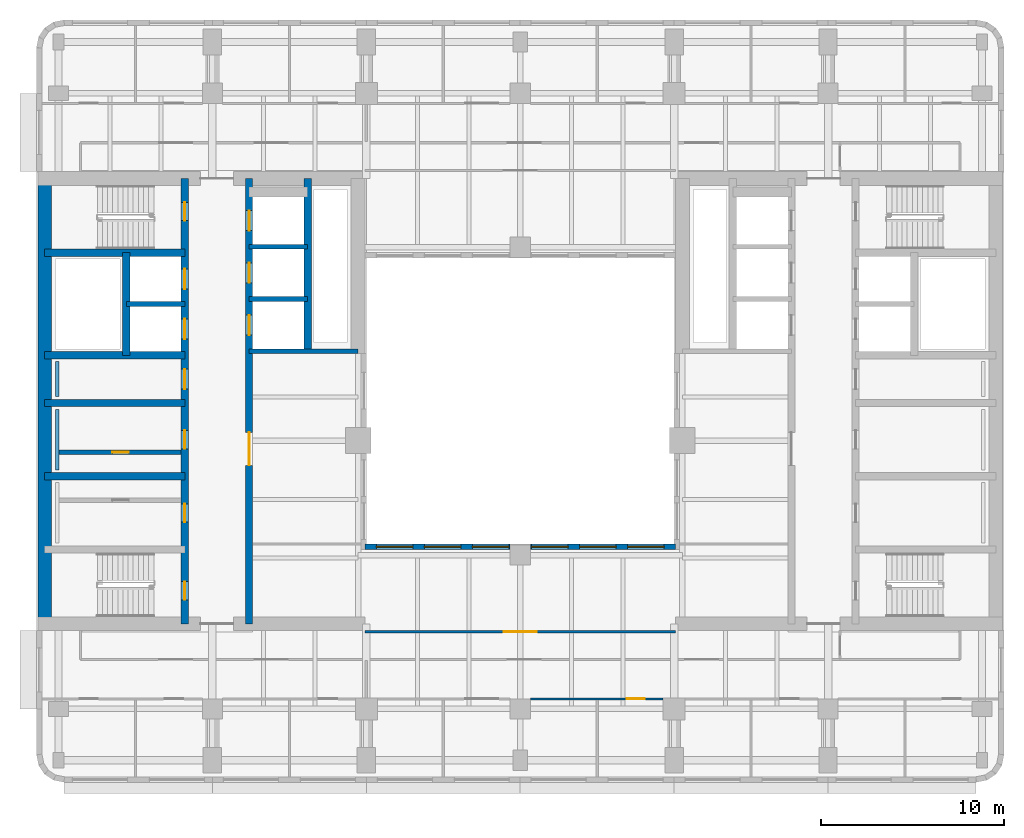
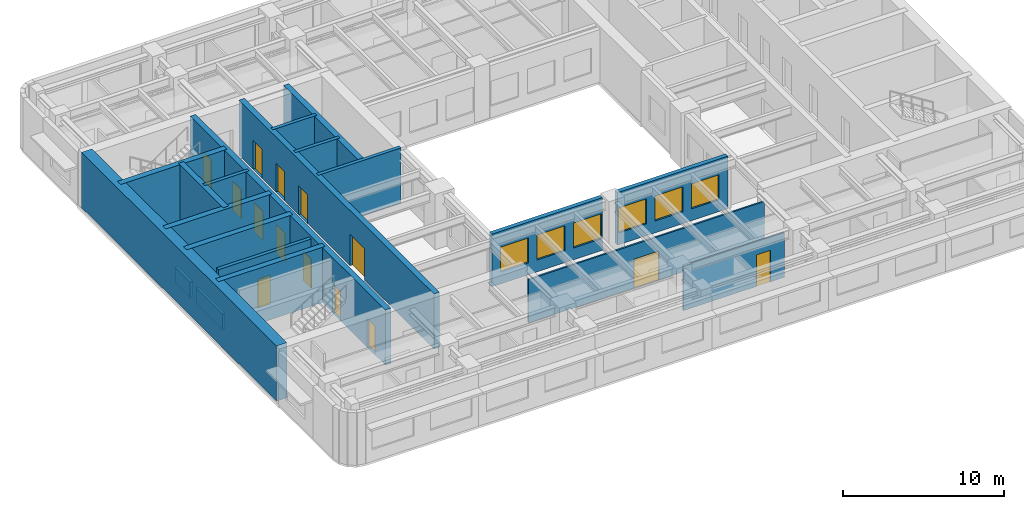
# One storey, part 4 of 11: 20 walls, 14 doors, 6 windows, 20 openings.
"""IFC4 building model written with IfcOpenShell, lengths in metres."""

from ifc_helpers import new_model, si_unit, direction, frame, frame_2d, origin, place, context, subcontext, project, spatial, rectangle, extrude, material, layer, layer_set, type_object, element, fill, save


model = new_model("IFC4")

# Units and contexts
model_context = context("Model", 3, precision=1e-05, world=origin(), true_north=direction((0.0, 1.0)))
body_context = subcontext(model_context, "Body", "Model", "MODEL_VIEW")
ifc_project = project(units=[si_unit("LENGTHUNIT", "METRE"), si_unit("AREAUNIT", "SQUARE_METRE"), si_unit("VOLUMEUNIT", "CUBIC_METRE"), si_unit("PLANEANGLEUNIT", "RADIAN"), si_unit("MASSUNIT", "GRAM", prefix="KILO")], contexts=[model_context])

# Site, building, storey
site_placement = place(None, origin())
site = spatial("IfcSite", under=ifc_project, at=site_placement, CompositionType="ELEMENT")
building_placement = place(site_placement, origin())
building = spatial("IfcBuilding", under=site, at=building_placement, Name="Claustro Exchange Tower", CompositionType="ELEMENT")
storey_placement = place(building_placement, frame((0.0, 0.0, 240.60009765625)))
storey = spatial("IfcBuildingStorey", under=building, at=storey_placement, Name="L55", CompositionType="ELEMENT", Elevation=240.60009765625)

# Wall, opening, door
ifc_material_1 = material(Name="Laminated glass in aluminium frame", Category="aluminium")
ifc_layer_1 = layer(ifc_material_1, 0.1201171875)
ifc_layer_set_1 = layer_set([ifc_layer_1], Name="Laminated glass in aluminium frame")
wall_type_1 = type_object("IfcWallType", Name="P2 120 glazed partition", PredefinedType="PARTITIONING", material=ifc_layer_set_1)
wall_1_placement = place(storey_placement, frame((25.7490234375, 8.949951171875, 0.0), z_axis=(0.0, 0.0, 1.0), x_axis=(1.0, 0.0, 0.0)))
wall_1 = element("IfcWall", 1, at=wall_1_placement, inside=storey, type_object=wall_type_1, Name="Partition P2 L55", PredefinedType="PARTITIONING", context=body_context, shape_type="SweptSolid", body=[
    extrude(rectangle(XDim=7.251953125, YDim=0.1201171875, at=frame_2d((3.6259765625, 0.0))), origin(), (0.0, 0.0, 1.0), 3.39990234375),
])
opening_1_placement = place(wall_1_placement, frame((5.2509765625, 0.0, 0.0)))
opening_1 = element("IfcOpeningElement", 2, at=opening_1_placement, cuts=wall_1, Name="Opening D7", PredefinedType="OPENING", context=body_context, shape_type="SweptSolid", body=[
    extrude(rectangle(XDim=1.0, YDim=2.39990234375, at=frame_2d((0.5, 1.199951171875))), frame((0.0, 0.070068359375, 0.0), z_axis=(0.0, -1.0, 0.0), x_axis=(1.0, 0.0, 0.0)), (0.0, 0.0, 1.0), 0.14013671875),
])
ifc_material_2 = material(Name="Glass door in aluminium frame", Category="aluminium")
door_type_1 = type_object("IfcDoorType", Name="D7 1000 x 2400 glazed door", OperationType="SINGLE_SWING_LEFT", PredefinedType="DOOR", material=ifc_material_2)
door_1_placement = place(opening_1_placement, frame((1.0, 0.0, 0.0), z_axis=(0.0, 0.0, 1.0), x_axis=(-1.0, 0.0, 0.0)))
door_1 = element("IfcDoor", 3, at=door_1_placement, inside=storey, type_object=door_type_1, Name="Door D7 L55", OperationType="SINGLE_SWING_RIGHT", OverallHeight=2.39990234375, OverallWidth=1.0, PredefinedType="DOOR", context=body_context, shape_type="SweptSolid", body=[
    extrude(rectangle(XDim=1.0, YDim=2.39990234375, at=frame_2d((0.5, 1.199951171875))), frame((0.0, 0.02490234375, 0.0), z_axis=(0.0, -1.0, 0.0), x_axis=(1.0, 0.0, 0.0)), (0.0, 0.0, 1.0), 0.050048828125),
])
fill(opening_1, door_1)

wall_2_placement = place(storey_placement, frame((16.72509765625, 12.614990234375, 0.0), z_axis=(0.0, 0.0, 1.0), x_axis=(1.0, 0.0, 0.0)))
wall_2 = element("IfcWall", 4, at=wall_2_placement, inside=storey, type_object=wall_type_1, Name="Partition P2 L55", PredefinedType="PARTITIONING", context=body_context, shape_type="SweptSolid", body=[
    extrude(rectangle(XDim=16.949951171875, YDim=0.1201171875, at=frame_2d((8.47509765625, 0.0))), origin(), (0.0, 0.0, 1.0), 3.2998046875),
])
opening_2_placement = place(wall_2_placement, frame((7.574951171875, 0.0, 0.0)))
opening_2 = element("IfcOpeningElement", 5, at=opening_2_placement, cuts=wall_2, Name="Opening D2", PredefinedType="OPENING", context=body_context, shape_type="SweptSolid", body=[
    extrude(rectangle(XDim=1.800048828125, YDim=2.199951171875, at=frame_2d((0.89990234375, 1.10009765625))), frame((0.0, 0.070068359375, 0.0), z_axis=(0.0, -1.0, 0.0), x_axis=(1.0, 0.0, 0.0)), (0.0, 0.0, 1.0), 0.14013671875),
])
ifc_material_3 = material(Name="Timber door, oak veneer", Category="wood")
door_type_2 = type_object("IfcDoorType", Name="D2 1800 x 2200 double door", OperationType="DOUBLE_DOOR_SINGLE_SWING", PredefinedType="DOOR", material=ifc_material_3)
door_2_placement = place(opening_2_placement, origin())
door_2 = element("IfcDoor", 6, at=door_2_placement, inside=storey, type_object=door_type_2, Name="Double door D2 L55", OperationType="DOUBLE_DOOR_SINGLE_SWING", OverallHeight=2.199951171875, OverallWidth=1.800048828125, PredefinedType="DOOR", context=body_context, shape_type="SweptSolid", body=[
    extrude(rectangle(XDim=1.800048828125, YDim=2.199951171875, at=frame_2d((0.89990234375, 1.10009765625))), frame((0.0, 0.02490234375, 0.0), z_axis=(0.0, -1.0, 0.0), x_axis=(1.0, 0.0, 0.0)), (0.0, 0.0, 1.0), 0.050048828125),
])
fill(opening_2, door_2)

ifc_material_4 = material(Name="Concrete blockwork, rendered", Category="masonry")
ifc_layer_2 = layer(ifc_material_4, 0.25)
ifc_layer_set_2 = layer_set([ifc_layer_2], Name="Concrete blockwork, rendered")
wall_type_2 = type_object("IfcWallType", Name="P4 250 blockwork wall", PredefinedType="PARTITIONING", material=ifc_layer_set_2)
wall_3_placement = place(storey_placement, frame((0.02490234375, 22.39990234375, 0.0), z_axis=(0.0, 0.0, 1.0), x_axis=(1.0, 0.0, 0.0)))
wall_3 = element("IfcWall", 7, at=wall_3_placement, inside=storey, type_object=wall_type_2, Name="Partition P4 L55", PredefinedType="PARTITIONING", context=body_context, shape_type="SweptSolid", body=[
    extrude(rectangle(XDim=6.675048828125, YDim=0.25, at=frame_2d((3.33740234375, 0.0))), origin(), (0.0, 0.0, 1.0), 4.0),
])
opening_3_placement = place(wall_3_placement, frame((2.91259765625, 0.0, 0.0)))
opening_3 = element("IfcOpeningElement", 8, at=opening_3_placement, cuts=wall_3, Name="Opening D5", PredefinedType="OPENING", context=body_context, shape_type="SweptSolid", body=[
    extrude(rectangle(XDim=0.89990234375, YDim=2.199951171875, at=frame_2d((0.449951171875, 1.10009765625))), frame((0.0, 0.135009765625, 0.0), z_axis=(0.0, -1.0, 0.0), x_axis=(1.0, 0.0, 0.0)), (0.0, 0.0, 1.0), 0.27001953125),
])
ifc_material_5 = material(Name="Steel door, painted", Category="steel")
door_type_3 = type_object("IfcDoorType", Name="D5 900 x 2200 store door", OperationType="SINGLE_SWING_LEFT", PredefinedType="DOOR", material=ifc_material_5)
door_3_placement = place(opening_3_placement, frame((0.89990234375, 0.0, 0.0), z_axis=(0.0, 0.0, 1.0), x_axis=(-1.0, 0.0, 0.0)))
door_3 = element("IfcDoor", 9, at=door_3_placement, inside=storey, type_object=door_type_3, Name="Store door D5 L55", OperationType="SINGLE_SWING_LEFT", OverallHeight=2.199951171875, OverallWidth=0.89990234375, PredefinedType="DOOR", context=body_context, shape_type="SweptSolid", body=[
    extrude(rectangle(XDim=0.89990234375, YDim=2.199951171875, at=frame_2d((0.449951171875, 1.10009765625))), frame((0.0, 0.02490234375, 0.0), z_axis=(0.0, -1.0, 0.0), x_axis=(1.0, 0.0, 0.0)), (0.0, 0.0, 1.0), 0.050048828125),
])
fill(opening_3, door_3)

# Wall, openings, windows
ifc_material_6 = material(Name="Concrete HA-40 (C40/50), precast, white cement, acid-etched", Category="concrete")
ifc_layer_3 = layer(ifc_material_6, 0.300048828125)
ifc_layer_set_3 = layer_set([ifc_layer_3], Name="Concrete HA-40 (C40/50), precast, white cement, acid-etched")
wall_type_3 = type_object("IfcWallType", Name="PC1 300 precast concrete pier panel", PredefinedType="SOLIDWALL", material=ifc_layer_set_3)
wall_4_placement = place(storey_placement, frame((16.72509765625, 17.25, 0.0), z_axis=(0.0, 0.0, 1.0), x_axis=(1.0, 0.0, 0.0)))
wall_4 = element("IfcWall", 10, at=wall_4_placement, inside=storey, type_object=wall_type_3, Name="Precast pier panel PC1 L55", PredefinedType="SOLIDWALL", context=body_context, shape_type="SweptSolid", body=[
    extrude(rectangle(XDim=7.9248046875, YDim=0.300048828125, at=frame_2d((3.96240234375, 0.0))), origin(), (0.0, 0.0, 1.0), 4.0),
])
opening_4_placement = place(wall_4_placement, frame((0.61865234375, 0.0, 0.89990234375)))
opening_4 = element("IfcOpeningElement", 11, at=opening_4_placement, cuts=wall_4, Name="Opening W4", PredefinedType="OPENING", context=body_context, shape_type="SweptSolid", body=[
    extrude(rectangle(XDim=2.0, YDim=1.89990234375, at=frame_2d((1.0, 0.949951171875))), frame((0.0, 0.159912109375, 0.0), z_axis=(0.0, -1.0, 0.0), x_axis=(1.0, 0.0, 0.0)), (0.0, 0.0, 1.0), 0.320068359375),
])
opening_5_placement = place(wall_4_placement, frame((3.237548828125, 0.0, 0.89990234375)))
opening_5 = element("IfcOpeningElement", 12, at=opening_5_placement, cuts=wall_4, Name="Opening W4", PredefinedType="OPENING", context=body_context, shape_type="SweptSolid", body=[
    extrude(rectangle(XDim=2.0, YDim=1.89990234375, at=frame_2d((1.0, 0.949951171875))), frame((0.0, 0.159912109375, 0.0), z_axis=(0.0, -1.0, 0.0), x_axis=(1.0, 0.0, 0.0)), (0.0, 0.0, 1.0), 0.320068359375),
])
opening_6_placement = place(wall_4_placement, frame((5.856201171875, 0.0, 0.89990234375)))
opening_6 = element("IfcOpeningElement", 13, at=opening_6_placement, cuts=wall_4, Name="Opening W4", PredefinedType="OPENING", context=body_context, shape_type="SweptSolid", body=[
    extrude(rectangle(XDim=2.0, YDim=1.89990234375, at=frame_2d((1.0, 0.949951171875))), frame((0.0, 0.159912109375, 0.0), z_axis=(0.0, -1.0, 0.0), x_axis=(1.0, 0.0, 0.0)), (0.0, 0.0, 1.0), 0.320068359375),
])
ifc_material_7 = material(Name="Aluminium frame, clear double glazing", Category="aluminium")
window_type = type_object("IfcWindowType", Name="W4 2000 x 1900 light well window", PartitioningType="SINGLE_PANEL", PredefinedType="WINDOW", material=ifc_material_7)
window_1_placement = place(opening_4_placement, origin())
window_1 = element("IfcWindow", 14, at=window_1_placement, inside=storey, type_object=window_type, Name="Window W4 L55", OverallHeight=1.89990234375, OverallWidth=2.0, PartitioningType="SINGLE_PANEL", PredefinedType="WINDOW", context=body_context, shape_type="SweptSolid", body=[
    extrude(rectangle(XDim=2.0, YDim=1.89990234375, at=frame_2d((1.0, 0.949951171875))), frame((0.0, 0.030029296875, 0.0), z_axis=(0.0, -1.0, 0.0), x_axis=(1.0, 0.0, 0.0)), (0.0, 0.0, 1.0), 0.06005859375),
])
fill(opening_4, window_1)
window_2_placement = place(opening_5_placement, origin())
window_2 = element("IfcWindow", 15, at=window_2_placement, inside=storey, type_object=window_type, Name="Window W4 L55", OverallHeight=1.89990234375, OverallWidth=2.0, PartitioningType="SINGLE_PANEL", PredefinedType="WINDOW", context=body_context, shape_type="SweptSolid", body=[
    extrude(rectangle(XDim=2.0, YDim=1.89990234375, at=frame_2d((1.0, 0.949951171875))), frame((0.0, 0.030029296875, 0.0), z_axis=(0.0, -1.0, 0.0), x_axis=(1.0, 0.0, 0.0)), (0.0, 0.0, 1.0), 0.06005859375),
])
fill(opening_5, window_2)
window_3_placement = place(opening_6_placement, origin())
window_3 = element("IfcWindow", 16, at=window_3_placement, inside=storey, type_object=window_type, Name="Window W4 L55", OverallHeight=1.89990234375, OverallWidth=2.0, PartitioningType="SINGLE_PANEL", PredefinedType="WINDOW", context=body_context, shape_type="SweptSolid", body=[
    extrude(rectangle(XDim=2.0, YDim=1.89990234375, at=frame_2d((1.0, 0.949951171875))), frame((0.0, 0.030029296875, 0.0), z_axis=(0.0, -1.0, 0.0), x_axis=(1.0, 0.0, 0.0)), (0.0, 0.0, 1.0), 0.06005859375),
])
fill(opening_6, window_3)

wall_5_placement = place(storey_placement, frame((25.75, 17.25, 0.0), z_axis=(0.0, 0.0, 1.0), x_axis=(1.0, 0.0, 0.0)))
wall_5 = element("IfcWall", 17, at=wall_5_placement, inside=storey, type_object=wall_type_3, Name="Precast pier panel PC1 L55", PredefinedType="SOLIDWALL", context=body_context, shape_type="SweptSolid", body=[
    extrude(rectangle(XDim=7.925048828125, YDim=0.300048828125, at=frame_2d((3.96240234375, 0.0))), origin(), (0.0, 0.0, 1.0), 4.0),
])
opening_7_placement = place(wall_5_placement, frame((0.068603515625, 0.0, 0.89990234375)))
opening_7 = element("IfcOpeningElement", 18, at=opening_7_placement, cuts=wall_5, Name="Opening W4", PredefinedType="OPENING", context=body_context, shape_type="SweptSolid", body=[
    extrude(rectangle(XDim=2.0, YDim=1.89990234375, at=frame_2d((1.0, 0.949951171875))), frame((0.0, 0.159912109375, 0.0), z_axis=(0.0, -1.0, 0.0), x_axis=(1.0, 0.0, 0.0)), (0.0, 0.0, 1.0), 0.320068359375),
])
opening_8_placement = place(wall_5_placement, frame((2.6875, 0.0, 0.89990234375)))
opening_8 = element("IfcOpeningElement", 19, at=opening_8_placement, cuts=wall_5, Name="Opening W4", PredefinedType="OPENING", context=body_context, shape_type="SweptSolid", body=[
    extrude(rectangle(XDim=2.0, YDim=1.89990234375, at=frame_2d((1.0, 0.949951171875))), frame((0.0, 0.159912109375, 0.0), z_axis=(0.0, -1.0, 0.0), x_axis=(1.0, 0.0, 0.0)), (0.0, 0.0, 1.0), 0.320068359375),
])
opening_9_placement = place(wall_5_placement, frame((5.30615234375, 0.0, 0.89990234375)))
opening_9 = element("IfcOpeningElement", 20, at=opening_9_placement, cuts=wall_5, Name="Opening W4", PredefinedType="OPENING", context=body_context, shape_type="SweptSolid", body=[
    extrude(rectangle(XDim=2.0, YDim=1.89990234375, at=frame_2d((1.0, 0.949951171875))), frame((0.0, 0.159912109375, 0.0), z_axis=(0.0, -1.0, 0.0), x_axis=(1.0, 0.0, 0.0)), (0.0, 0.0, 1.0), 0.320068359375),
])
window_4_placement = place(opening_7_placement, origin())
window_4 = element("IfcWindow", 21, at=window_4_placement, inside=storey, type_object=window_type, Name="Window W4 L55", OverallHeight=1.89990234375, OverallWidth=2.0, PartitioningType="SINGLE_PANEL", PredefinedType="WINDOW", context=body_context, shape_type="SweptSolid", body=[
    extrude(rectangle(XDim=2.0, YDim=1.89990234375, at=frame_2d((1.0, 0.949951171875))), frame((0.0, 0.030029296875, 0.0), z_axis=(0.0, -1.0, 0.0), x_axis=(1.0, 0.0, 0.0)), (0.0, 0.0, 1.0), 0.06005859375),
])
fill(opening_7, window_4)
window_5_placement = place(opening_8_placement, origin())
window_5 = element("IfcWindow", 22, at=window_5_placement, inside=storey, type_object=window_type, Name="Window W4 L55", OverallHeight=1.89990234375, OverallWidth=2.0, PartitioningType="SINGLE_PANEL", PredefinedType="WINDOW", context=body_context, shape_type="SweptSolid", body=[
    extrude(rectangle(XDim=2.0, YDim=1.89990234375, at=frame_2d((1.0, 0.949951171875))), frame((0.0, 0.030029296875, 0.0), z_axis=(0.0, -1.0, 0.0), x_axis=(1.0, 0.0, 0.0)), (0.0, 0.0, 1.0), 0.06005859375),
])
fill(opening_8, window_5)
window_6_placement = place(opening_9_placement, origin())
window_6 = element("IfcWindow", 23, at=window_6_placement, inside=storey, type_object=window_type, Name="Window W4 L55", OverallHeight=1.89990234375, OverallWidth=2.0, PartitioningType="SINGLE_PANEL", PredefinedType="WINDOW", context=body_context, shape_type="SweptSolid", body=[
    extrude(rectangle(XDim=2.0, YDim=1.89990234375, at=frame_2d((1.0, 0.949951171875))), frame((0.0, 0.030029296875, 0.0), z_axis=(0.0, -1.0, 0.0), x_axis=(1.0, 0.0, 0.0)), (0.0, 0.0, 1.0), 0.06005859375),
])
fill(opening_9, window_6)

# Walls
ifc_material_8 = material(Name="Gypsum board on steel studs, tiled", Category="steel")
ifc_layer_4 = layer(ifc_material_8, 0.199951171875)
ifc_layer_set_4 = layer_set([ifc_layer_4], Name="Gypsum board on steel studs, tiled")
wall_type_4 = type_object("IfcWallType", Name="PW1 200 WC duct wall", PredefinedType="PLUMBINGWALL", material=ifc_layer_set_4)
wall_6_placement = place(storey_placement, frame((-0.074951171875, 21.449951171875, 0.0), z_axis=(0.0, 0.0, 1.0), x_axis=(0.0, 1.0, 0.0)))
element("IfcWall", 24, at=wall_6_placement, inside=storey, type_object=wall_type_4, Name="WC duct wall PW1 L55", PredefinedType="PLUMBINGWALL", context=body_context, shape_type="SweptSolid", body=[
    extrude(rectangle(XDim=3.300048828125, YDim=0.199951171875, at=frame_2d((1.64990234375, 0.0))), origin(), (0.0, 0.0, 1.0), 1.199951171875),
])
wall_7_placement = place(storey_placement, frame((-0.074951171875, 25.449951171875, 0.0), z_axis=(0.0, 0.0, 1.0), x_axis=(0.0, 1.0, 0.0)))
element("IfcWall", 25, at=wall_7_placement, inside=storey, type_object=wall_type_4, Name="WC duct wall PW1 L55", PredefinedType="PLUMBINGWALL", context=body_context, shape_type="SweptSolid", body=[
    extrude(rectangle(XDim=1.900146484375, YDim=0.199951171875, at=frame_2d((0.9501953125, 0.0))), origin(), (0.0, 0.0, 1.0), 1.199951171875),
])
ifc_material_9 = material(Name="Concrete HA-70 (C70/85)", Category="concrete")
ifc_layer_5 = layer(ifc_material_9, 0.75)
ifc_layer_set_5 = layer_set([ifc_layer_5], Name="Concrete HA-70 (C70/85)")
wall_type_5 = type_object("IfcWallType", Name="SW2X 750 exposed core shear wall, board-marked face", PredefinedType="SHEAR", material=ifc_layer_set_5)
wall_8_placement = place(storey_placement, frame((-0.75, 13.050048828125, 0.0), z_axis=(0.0, 0.0, 1.0), x_axis=(0.0, 1.0, 0.0)))
element("IfcWall", 26, at=wall_8_placement, inside=storey, type_object=wall_type_5, Name="Core wall SW2X W core W face L55", PredefinedType="SHEAR", context=body_context, shape_type="SweptSolid", body=[
    extrude(rectangle(XDim=24.300048828125, YDim=0.75, at=frame_2d((12.14990234375, 0.0))), origin(), (0.0, 0.0, 1.0), 4.199951171875),
])

# Wall, openings, doors
ifc_material_10 = material(Name="Concrete HA-50 (C50/60)", Category="concrete")
ifc_layer_6 = layer(ifc_material_10, 0.39990234375)
ifc_layer_set_6 = layer_set([ifc_layer_6], Name="Concrete HA-50 (C50/60)")
wall_type_6 = type_object("IfcWallType", Name="SW4 400 internal core wall", PredefinedType="SHEAR", material=ifc_layer_set_6)
wall_9_placement = place(storey_placement, frame((6.89990234375, 13.050048828125, 0.0), z_axis=(0.0, 0.0, 1.0), x_axis=(0.0, 1.0, 0.0)))
wall_9 = element("IfcWall", 27, at=wall_9_placement, inside=storey, type_object=wall_type_6, Name="Internal core wall SW4 W core L55", PredefinedType="SHEAR", context=body_context, shape_type="SweptSolid", body=[
    extrude(rectangle(XDim=24.300048828125, YDim=0.39990234375, at=frame_2d((12.14990234375, 0.0))), origin(), (0.0, 0.0, 1.0), 4.199951171875),
])
opening_10_placement = place(wall_9_placement, frame((1.300048828125, 0.0, 0.0)))
opening_10 = element("IfcOpeningElement", 28, at=opening_10_placement, cuts=wall_9, Name="Opening D4", PredefinedType="OPENING", context=body_context, shape_type="SweptSolid", body=[
    extrude(rectangle(XDim=1.0, YDim=2.199951171875, at=frame_2d((0.5, 1.10009765625))), frame((0.0, 0.2099609375, 0.0), z_axis=(0.0, -1.0, 0.0), x_axis=(1.0, 0.0, 0.0)), (0.0, 0.0, 1.0), 0.419921875),
])
opening_11_placement = place(wall_9_placement, frame((22.0, 0.0, 0.0)))
opening_11 = element("IfcOpeningElement", 29, at=opening_11_placement, cuts=wall_9, Name="Opening D4", PredefinedType="OPENING", context=body_context, shape_type="SweptSolid", body=[
    extrude(rectangle(XDim=1.0, YDim=2.199951171875, at=frame_2d((0.5, 1.10009765625))), frame((0.0, 0.2099609375, 0.0), z_axis=(0.0, -1.0, 0.0), x_axis=(1.0, 0.0, 0.0)), (0.0, 0.0, 1.0), 0.419921875),
])
opening_12_placement = place(wall_9_placement, frame((5.550048828125, 0.0, 0.0)))
opening_12 = element("IfcOpeningElement", 30, at=opening_12_placement, cuts=wall_9, Name="Opening D1", PredefinedType="OPENING", context=body_context, shape_type="SweptSolid", body=[
    extrude(rectangle(XDim=1.0, YDim=2.199951171875, at=frame_2d((0.5, 1.10009765625))), frame((0.0, 0.2099609375, 0.0), z_axis=(0.0, -1.0, 0.0), x_axis=(1.0, 0.0, 0.0)), (0.0, 0.0, 1.0), 0.419921875),
])
opening_13_placement = place(wall_9_placement, frame((9.550048828125, 0.0, 0.0)))
opening_13 = element("IfcOpeningElement", 31, at=opening_13_placement, cuts=wall_9, Name="Opening D1", PredefinedType="OPENING", context=body_context, shape_type="SweptSolid", body=[
    extrude(rectangle(XDim=1.0, YDim=2.199951171875, at=frame_2d((0.5, 1.10009765625))), frame((0.0, 0.2099609375, 0.0), z_axis=(0.0, -1.0, 0.0), x_axis=(1.0, 0.0, 0.0)), (0.0, 0.0, 1.0), 0.419921875),
])
opening_14_placement = place(wall_9_placement, frame((12.800048828125, 0.0, 0.0)))
opening_14 = element("IfcOpeningElement", 32, at=opening_14_placement, cuts=wall_9, Name="Opening D10", PredefinedType="OPENING", context=body_context, shape_type="SweptSolid", body=[
    extrude(rectangle(XDim=1.10009765625, YDim=2.199951171875, at=frame_2d((0.550048828125, 1.10009765625))), frame((0.0, 0.2099609375, 0.0), z_axis=(0.0, -1.0, 0.0), x_axis=(1.0, 0.0, 0.0)), (0.0, 0.0, 1.0), 0.419921875),
])
opening_15_placement = place(wall_9_placement, frame((15.53759765625, 0.0, 0.0)))
opening_15 = element("IfcOpeningElement", 33, at=opening_15_placement, cuts=wall_9, Name="Opening LD", PredefinedType="OPENING", context=body_context, shape_type="SweptSolid", body=[
    extrude(rectangle(XDim=1.10009765625, YDim=2.199951171875, at=frame_2d((0.550048828125, 1.10009765625))), frame((0.0, 0.2099609375, 0.0), z_axis=(0.0, -1.0, 0.0), x_axis=(1.0, 0.0, 0.0)), (0.0, 0.0, 1.0), 0.419921875),
])
opening_16_placement = place(wall_9_placement, frame((18.262451171875, 0.0, 0.0)))
opening_16 = element("IfcOpeningElement", 34, at=opening_16_placement, cuts=wall_9, Name="Opening LD", PredefinedType="OPENING", context=body_context, shape_type="SweptSolid", body=[
    extrude(rectangle(XDim=1.10009765625, YDim=2.199951171875, at=frame_2d((0.550048828125, 1.10009765625))), frame((0.0, 0.2099609375, 0.0), z_axis=(0.0, -1.0, 0.0), x_axis=(1.0, 0.0, 0.0)), (0.0, 0.0, 1.0), 0.419921875),
])
ifc_material_11 = material(Name="Timber door, oak veneer", Category="wood")
door_type_4 = type_object("IfcDoorType", Name="D1 1000 x 2200 single door", OperationType="SINGLE_SWING_LEFT", PredefinedType="DOOR", material=ifc_material_11)
door_4_placement = place(opening_12_placement, origin())
door_4 = element("IfcDoor", 35, at=door_4_placement, inside=storey, type_object=door_type_4, Name="Door D1 L55", OperationType="SINGLE_SWING_RIGHT", OverallHeight=2.199951171875, OverallWidth=1.0, PredefinedType="DOOR", context=body_context, shape_type="SweptSolid", body=[
    extrude(rectangle(XDim=1.0, YDim=2.199951171875, at=frame_2d((0.5, 1.10009765625))), frame((0.0, 0.02490234375, 0.0), z_axis=(0.0, -1.0, 0.0), x_axis=(1.0, 0.0, 0.0)), (0.0, 0.0, 1.0), 0.050048828125),
])
fill(opening_12, door_4)
door_5_placement = place(opening_13_placement, origin())
door_5 = element("IfcDoor", 36, at=door_5_placement, inside=storey, type_object=door_type_4, Name="Door D1 L55", OperationType="SINGLE_SWING_LEFT", OverallHeight=2.199951171875, OverallWidth=1.0, PredefinedType="DOOR", context=body_context, shape_type="SweptSolid", body=[
    extrude(rectangle(XDim=1.0, YDim=2.199951171875, at=frame_2d((0.5, 1.10009765625))), frame((0.0, 0.02490234375, 0.0), z_axis=(0.0, -1.0, 0.0), x_axis=(1.0, 0.0, 0.0)), (0.0, 0.0, 1.0), 0.050048828125),
])
fill(opening_13, door_5)
ifc_material_12 = material(Name="Timber door, oak veneer", Category="wood")
door_type_5 = type_object("IfcDoorType", Name="D10 1100 x 2200 accessible WC door", OperationType="SINGLE_SWING_LEFT", PredefinedType="DOOR", material=ifc_material_12)
door_6_placement = place(opening_14_placement, frame((1.10009765625, 0.0, 0.0), z_axis=(0.0, 0.0, 1.0), x_axis=(-1.0, 0.0, 0.0)))
door_6 = element("IfcDoor", 37, at=door_6_placement, inside=storey, type_object=door_type_5, Name="Accessible WC door D10 L55", OperationType="SINGLE_SWING_LEFT", OverallHeight=2.199951171875, OverallWidth=1.10009765625, PredefinedType="DOOR", context=body_context, shape_type="SweptSolid", body=[
    extrude(rectangle(XDim=1.10009765625, YDim=2.199951171875, at=frame_2d((0.550048828125, 1.10009765625))), frame((0.0, 0.02490234375, 0.0), z_axis=(0.0, -1.0, 0.0), x_axis=(1.0, 0.0, 0.0)), (0.0, 0.0, 1.0), 0.050048828125),
])
fill(opening_14, door_6)
ifc_material_13 = material(Name="Steel fire door, painted", Category="steel")
door_type_6 = type_object("IfcDoorType", Name="D4 1000 x 2200 fire-rated stair door", OperationType="SINGLE_SWING_LEFT", PredefinedType="DOOR", material=ifc_material_13)
door_7_placement = place(opening_10_placement, origin())
door_7 = element("IfcDoor", 38, at=door_7_placement, inside=storey, type_object=door_type_6, Name="Stair door D4 L55", OperationType="SINGLE_SWING_LEFT", OverallHeight=2.199951171875, OverallWidth=1.0, PredefinedType="DOOR", context=body_context, shape_type="SweptSolid", body=[
    extrude(rectangle(XDim=1.0, YDim=2.199951171875, at=frame_2d((0.5, 1.10009765625))), frame((0.0, 0.02490234375, 0.0), z_axis=(0.0, -1.0, 0.0), x_axis=(1.0, 0.0, 0.0)), (0.0, 0.0, 1.0), 0.050048828125),
])
fill(opening_10, door_7)
door_8_placement = place(opening_11_placement, origin())
door_8 = element("IfcDoor", 39, at=door_8_placement, inside=storey, type_object=door_type_6, Name="Stair door D4 L55", OperationType="SINGLE_SWING_RIGHT", OverallHeight=2.199951171875, OverallWidth=1.0, PredefinedType="DOOR", context=body_context, shape_type="SweptSolid", body=[
    extrude(rectangle(XDim=1.0, YDim=2.199951171875, at=frame_2d((0.5, 1.10009765625))), frame((0.0, 0.02490234375, 0.0), z_axis=(0.0, -1.0, 0.0), x_axis=(1.0, 0.0, 0.0)), (0.0, 0.0, 1.0), 0.050048828125),
])
fill(opening_11, door_8)
ifc_material_14 = material(Name="Stainless steel sliding door", Category="steel")
door_type_7 = type_object("IfcDoorType", Name="LD 1100 x 2200 lift landing door", OperationType="DOUBLE_DOOR_SLIDING", PredefinedType="DOOR", material=ifc_material_14)
door_9_placement = place(opening_15_placement, origin())
door_9 = element("IfcDoor", 40, at=door_9_placement, inside=storey, type_object=door_type_7, Name="Lift landing door LEW1 LD L55", OperationType="DOUBLE_DOOR_SLIDING", OverallHeight=2.199951171875, OverallWidth=1.10009765625, PredefinedType="DOOR", context=body_context, shape_type="SweptSolid", body=[
    extrude(rectangle(XDim=1.10009765625, YDim=2.199951171875, at=frame_2d((0.550048828125, 1.10009765625))), frame((0.0, 0.02490234375, 0.0), z_axis=(0.0, -1.0, 0.0), x_axis=(1.0, 0.0, 0.0)), (0.0, 0.0, 1.0), 0.050048828125),
])
fill(opening_15, door_9)
door_10_placement = place(opening_16_placement, origin())
door_10 = element("IfcDoor", 41, at=door_10_placement, inside=storey, type_object=door_type_7, Name="Lift landing door LEW2 LD L55", OperationType="DOUBLE_DOOR_SLIDING", OverallHeight=2.199951171875, OverallWidth=1.10009765625, PredefinedType="DOOR", context=body_context, shape_type="SweptSolid", body=[
    extrude(rectangle(XDim=1.10009765625, YDim=2.199951171875, at=frame_2d((0.550048828125, 1.10009765625))), frame((0.0, 0.02490234375, 0.0), z_axis=(0.0, -1.0, 0.0), x_axis=(1.0, 0.0, 0.0)), (0.0, 0.0, 1.0), 0.050048828125),
])
fill(opening_16, door_10)

wall_10_placement = place(storey_placement, frame((10.39990234375, 13.050048828125, 0.0), z_axis=(0.0, 0.0, 1.0), x_axis=(0.0, 1.0, 0.0)))
wall_10 = element("IfcWall", 42, at=wall_10_placement, inside=storey, type_object=wall_type_6, Name="Internal core wall SW4 W core L55", PredefinedType="SHEAR", context=body_context, shape_type="SweptSolid", body=[
    extrude(rectangle(XDim=24.300048828125, YDim=0.39990234375, at=frame_2d((12.14990234375, 0.0))), origin(), (0.0, 0.0, 1.0), 4.199951171875),
])
opening_17_placement = place(wall_10_placement, frame((15.75, 0.0, 0.0)))
opening_17 = element("IfcOpeningElement", 43, at=opening_17_placement, cuts=wall_10, Name="Opening LD", PredefinedType="OPENING", context=body_context, shape_type="SweptSolid", body=[
    extrude(rectangle(XDim=1.10009765625, YDim=2.199951171875, at=frame_2d((0.550048828125, 1.10009765625))), frame((0.0, 0.2099609375, 0.0), z_axis=(0.0, -1.0, 0.0), x_axis=(1.0, 0.0, 0.0)), (0.0, 0.0, 1.0), 0.419921875),
])
opening_18_placement = place(wall_10_placement, frame((18.60009765625, 0.0, 0.0)))
opening_18 = element("IfcOpeningElement", 44, at=opening_18_placement, cuts=wall_10, Name="Opening LD", PredefinedType="OPENING", context=body_context, shape_type="SweptSolid", body=[
    extrude(rectangle(XDim=1.10009765625, YDim=2.199951171875, at=frame_2d((0.550048828125, 1.10009765625))), frame((0.0, 0.2099609375, 0.0), z_axis=(0.0, -1.0, 0.0), x_axis=(1.0, 0.0, 0.0)), (0.0, 0.0, 1.0), 0.419921875),
])
opening_19_placement = place(wall_10_placement, frame((21.449951171875, 0.0, 0.0)))
opening_19 = element("IfcOpeningElement", 45, at=opening_19_placement, cuts=wall_10, Name="Opening LD", PredefinedType="OPENING", context=body_context, shape_type="SweptSolid", body=[
    extrude(rectangle(XDim=1.10009765625, YDim=2.199951171875, at=frame_2d((0.550048828125, 1.10009765625))), frame((0.0, 0.2099609375, 0.0), z_axis=(0.0, -1.0, 0.0), x_axis=(1.0, 0.0, 0.0)), (0.0, 0.0, 1.0), 0.419921875),
])
opening_20_placement = place(wall_10_placement, frame((8.64990234375, 0.0, 0.0)))
opening_20 = element("IfcOpeningElement", 46, at=opening_20_placement, cuts=wall_10, Name="Opening D3", PredefinedType="OPENING", context=body_context, shape_type="SweptSolid", body=[
    extrude(rectangle(XDim=1.800048828125, YDim=2.39990234375, at=frame_2d((0.89990234375, 1.199951171875))), frame((0.0, 0.2099609375, 0.0), z_axis=(0.0, -1.0, 0.0), x_axis=(1.0, 0.0, 0.0)), (0.0, 0.0, 1.0), 0.419921875),
])
ifc_material_15 = material(Name="Steel fire door, painted", Category="steel")
door_type_8 = type_object("IfcDoorType", Name="D3 1800 x 2400 fire-rated lobby double door", OperationType="DOUBLE_DOOR_SINGLE_SWING", PredefinedType="DOOR", material=ifc_material_15)
door_11_placement = place(opening_20_placement, frame((1.800048828125, 0.0, 0.0), z_axis=(0.0, 0.0, 1.0), x_axis=(-1.0, 0.0, 0.0)))
door_11 = element("IfcDoor", 47, at=door_11_placement, inside=storey, type_object=door_type_8, Name="Core zone door D3 L55", OperationType="DOUBLE_DOOR_SINGLE_SWING", OverallHeight=2.39990234375, OverallWidth=1.800048828125, PredefinedType="DOOR", context=body_context, shape_type="SweptSolid", body=[
    extrude(rectangle(XDim=1.800048828125, YDim=2.39990234375, at=frame_2d((0.89990234375, 1.199951171875))), frame((0.0, 0.02490234375, 0.0), z_axis=(0.0, -1.0, 0.0), x_axis=(1.0, 0.0, 0.0)), (0.0, 0.0, 1.0), 0.050048828125),
])
fill(opening_20, door_11)
door_12_placement = place(opening_17_placement, origin())
door_12 = element("IfcDoor", 48, at=door_12_placement, inside=storey, type_object=door_type_7, Name="Lift landing door LHW1 LD L55", OperationType="DOUBLE_DOOR_SLIDING", OverallHeight=2.199951171875, OverallWidth=1.10009765625, PredefinedType="DOOR", context=body_context, shape_type="SweptSolid", body=[
    extrude(rectangle(XDim=1.10009765625, YDim=2.199951171875, at=frame_2d((0.550048828125, 1.10009765625))), frame((0.0, 0.02490234375, 0.0), z_axis=(0.0, -1.0, 0.0), x_axis=(1.0, 0.0, 0.0)), (0.0, 0.0, 1.0), 0.050048828125),
])
fill(opening_17, door_12)
door_13_placement = place(opening_18_placement, origin())
door_13 = element("IfcDoor", 49, at=door_13_placement, inside=storey, type_object=door_type_7, Name="Lift landing door LHW2 LD L55", OperationType="DOUBLE_DOOR_SLIDING", OverallHeight=2.199951171875, OverallWidth=1.10009765625, PredefinedType="DOOR", context=body_context, shape_type="SweptSolid", body=[
    extrude(rectangle(XDim=1.10009765625, YDim=2.199951171875, at=frame_2d((0.550048828125, 1.10009765625))), frame((0.0, 0.02490234375, 0.0), z_axis=(0.0, -1.0, 0.0), x_axis=(1.0, 0.0, 0.0)), (0.0, 0.0, 1.0), 0.050048828125),
])
fill(opening_18, door_13)
door_14_placement = place(opening_19_placement, origin())
door_14 = element("IfcDoor", 50, at=door_14_placement, inside=storey, type_object=door_type_7, Name="Lift landing door LSW1 LD L55", OperationType="DOUBLE_DOOR_SLIDING", OverallHeight=2.199951171875, OverallWidth=1.10009765625, PredefinedType="DOOR", context=body_context, shape_type="SweptSolid", body=[
    extrude(rectangle(XDim=1.10009765625, YDim=2.199951171875, at=frame_2d((0.550048828125, 1.10009765625))), frame((0.0, 0.02490234375, 0.0), z_axis=(0.0, -1.0, 0.0), x_axis=(1.0, 0.0, 0.0)), (0.0, 0.0, 1.0), 0.050048828125),
])
fill(opening_19, door_14)

# Walls
wall_11_placement = place(storey_placement, frame((13.60009765625, 27.925048828125, 0.0), z_axis=(0.0, 0.0, 1.0), x_axis=(0.0, 1.0, 0.0)))
element("IfcWall", 51, at=wall_11_placement, inside=storey, type_object=wall_type_6, Name="Internal core wall SW4 W core L55", PredefinedType="SHEAR", context=body_context, shape_type="SweptSolid", body=[
    extrude(rectangle(XDim=9.425048828125, YDim=0.39990234375, at=frame_2d((4.71240234375, 0.0))), origin(), (0.0, 0.0, 1.0), 4.199951171875),
])
for number, where, z_axis, x_axis, name in (
    (52, (-0.75, 21.10009765625, 0.0), (0.0, 0.0, 1.0), (1.0, 0.0, 0.0), "Internal core wall SW4 W core L55"),
    (53, (-0.75, 25.10009765625, 0.0), (0.0, 0.0, 1.0), (1.0, 0.0, 0.0), "Internal core wall SW4 W core L55"),
    (54, (-0.75, 27.699951171875, 0.0), (0.0, 0.0, 1.0), (1.0, 0.0, 0.0), "Internal core wall SW4 W core L55"),
    (55, (-0.75, 33.300048828125, 0.0), (0.0, 0.0, 1.0), (1.0, 0.0, 0.0), "Internal core wall SW4 W core L55"),
):
    element("IfcWall", number, at=place(storey_placement, frame(where, z_axis=z_axis, x_axis=x_axis)), inside=storey, type_object=wall_type_6, Name=name, PredefinedType="SHEAR", context=body_context, shape_type="SweptSolid", body=[
        extrude(rectangle(XDim=7.64990234375, YDim=0.39990234375, at=frame_2d((3.824951171875, 0.0))), origin(), (0.0, 0.0, 1.0), 4.199951171875),
    ])
wall_12_placement = place(storey_placement, frame((3.699951171875, 27.699951171875, 0.0), z_axis=(0.0, 0.0, 1.0), x_axis=(0.0, 1.0, 0.0)))
element("IfcWall", 56, at=wall_12_placement, inside=storey, type_object=wall_type_6, Name="Internal core wall SW4 W core L55", PredefinedType="SHEAR", context=body_context, shape_type="SweptSolid", body=[
    extrude(rectangle(XDim=5.60009765625, YDim=0.39990234375, at=frame_2d((2.800048828125, 0.0))), origin(), (0.0, 0.0, 1.0), 4.199951171875),
])
ifc_material_16 = material(Name="Concrete HA-50 (C50/60)", Category="concrete")
ifc_layer_7 = layer(ifc_material_16, 0.25)
ifc_layer_set_7 = layer_set([ifc_layer_7], Name="Concrete HA-50 (C50/60)")
wall_type_7 = type_object("IfcWallType", Name="SW5 250 lift shaft divider wall", PredefinedType="SHEAR", material=ifc_layer_set_7)
wall_13_placement = place(storey_placement, frame((3.699951171875, 30.5, 0.0), z_axis=(0.0, 0.0, 1.0), x_axis=(1.0, 0.0, 0.0)))
element("IfcWall", 57, at=wall_13_placement, inside=storey, type_object=wall_type_7, Name="Lift shaft wall W core L55", PredefinedType="SHEAR", context=body_context, shape_type="SweptSolid", body=[
    extrude(rectangle(XDim=3.199951171875, YDim=0.25, at=frame_2d((1.60009765625, 0.0))), origin(), (0.0, 0.0, 1.0), 4.199951171875),
])
wall_14_placement = place(storey_placement, frame((10.39990234375, 27.925048828125, 0.0), z_axis=(0.0, 0.0, 1.0), x_axis=(1.0, 0.0, 0.0)))
element("IfcWall", 58, at=wall_14_placement, inside=storey, type_object=wall_type_7, Name="Core step wall W core L55", PredefinedType="SHEAR", context=body_context, shape_type="SweptSolid", body=[
    extrude(rectangle(XDim=5.9501953125, YDim=0.25, at=frame_2d((2.97509765625, 0.0))), origin(), (0.0, 0.0, 1.0), 4.199951171875),
])
for number, where, z_axis, x_axis, name in (
    (59, (10.39990234375, 30.77490234375, 0.0), (0.0, 0.0, 1.0), (1.0, 0.0, 0.0), "Lift shaft wall W core L55"),
    (60, (10.39990234375, 33.625, 0.0), (0.0, 0.0, 1.0), (1.0, 0.0, 0.0), "Lift shaft wall W core L55"),
):
    element("IfcWall", number, at=place(storey_placement, frame(where, z_axis=z_axis, x_axis=x_axis)), inside=storey, type_object=wall_type_7, Name=name, PredefinedType="SHEAR", context=body_context, shape_type="SweptSolid", body=[
        extrude(rectangle(XDim=3.2001953125, YDim=0.25, at=frame_2d((1.60009765625, 0.0))), origin(), (0.0, 0.0, 1.0), 4.199951171875),
    ])

save(model, "model.ifc")
